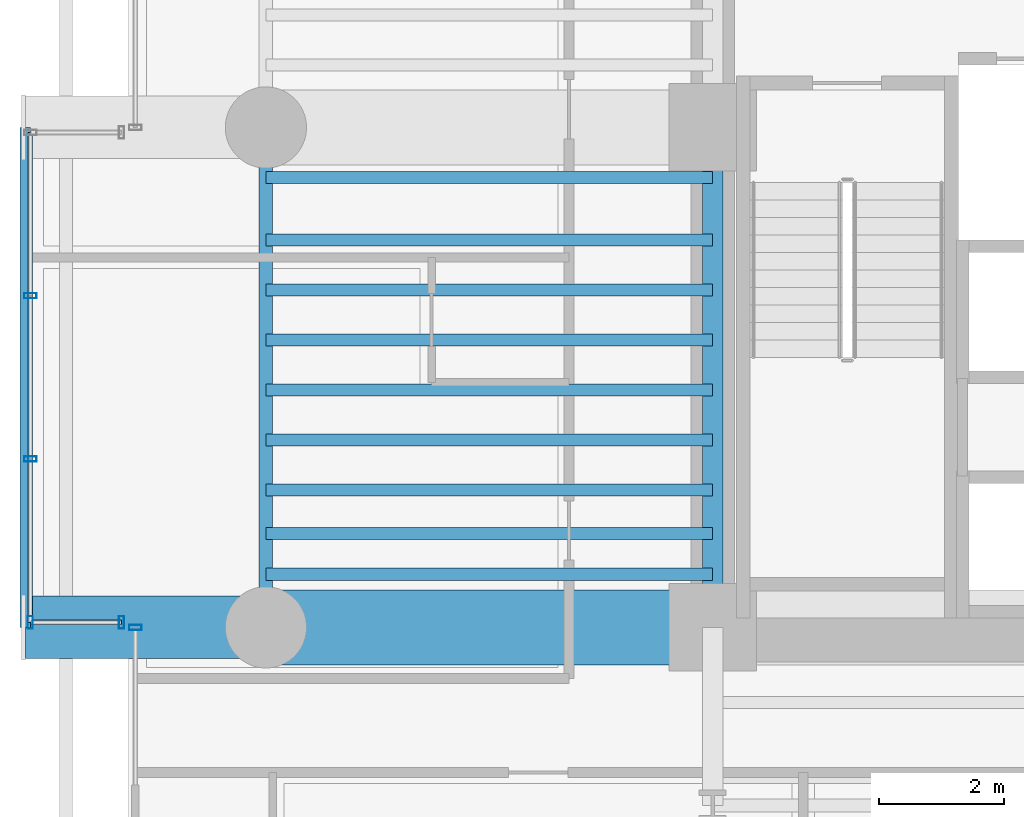
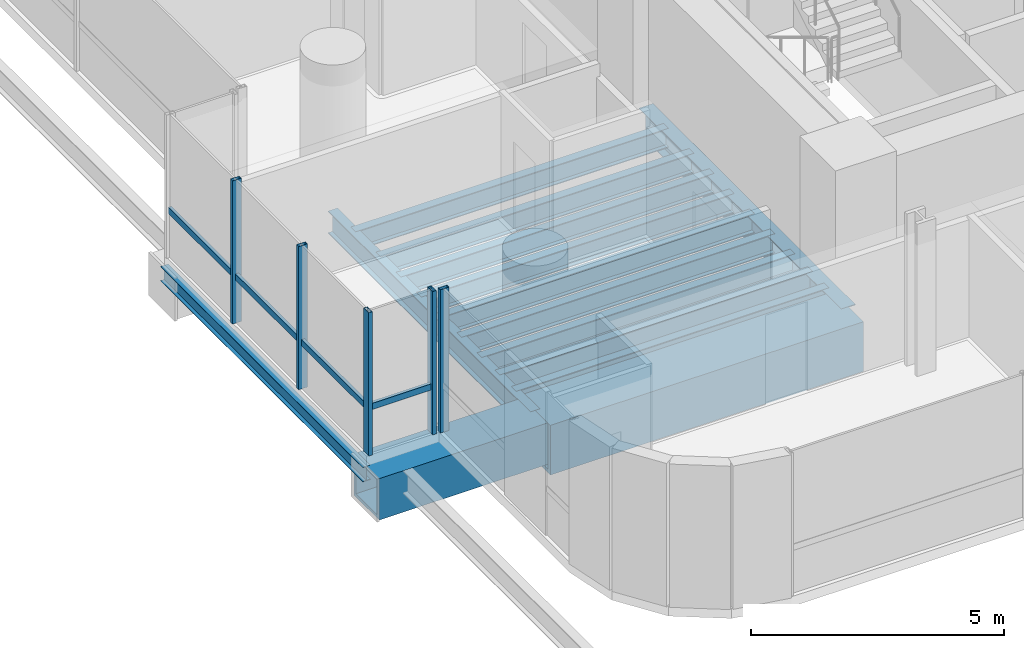
# One storey, part 5 of 50: 14 beams, 7 members, 3 elements without a shape of their own.
"""IFC4 building model written with IfcOpenShell, lengths in metres."""

from ifc_helpers import new_model, si_unit, direction, frame, origin, origin_2d, place, context, subcontext, project, spatial, hollow_rectangle, i_section, extrude, source, transform, mapped, material, material_profile, profile_set, type_object, element, aggregate, save


model = new_model("IFC4")

# Units and contexts
model_context = context("Model", 3, precision=1e-05, world=origin(), true_north=direction((0.0, 1.0)))
body_context = subcontext(model_context, "Body", "Model", "MODEL_VIEW")
ifc_project = project(units=[si_unit("LENGTHUNIT", "METRE"), si_unit("AREAUNIT", "SQUARE_METRE"), si_unit("VOLUMEUNIT", "CUBIC_METRE"), si_unit("PLANEANGLEUNIT", "RADIAN"), si_unit("MASSUNIT", "GRAM", prefix="KILO")], contexts=[model_context])

# Site, building, storey
site_placement = place(None, origin())
site = spatial("IfcSite", under=ifc_project, at=site_placement, CompositionType="ELEMENT")
building_placement = place(site_placement, origin())
building = spatial("IfcBuilding", under=site, at=building_placement, Name="Valdorenza Pilgrim Sanctuary Tower", CompositionType="ELEMENT")
storey_placement = place(building_placement, frame((0.0, 0.0, 26.0)))
storey = spatial("IfcBuildingStorey", under=building, at=storey_placement, Name="L05", CompositionType="ELEMENT", Elevation=26.0)

# Beams
ifc_material_1 = material(Name="Steel ASTM A992 Grade 50", Category="steel")
ifc_material_profile_1 = material_profile(ifc_material_1, i_section(OverallWidth=0.214111328125, OverallDepth=0.549072265625, WebThickness=0.0146484375, FlangeThickness=0.023681640625, at=origin_2d()), Name="W21X93")
ifc_profile_set_1 = profile_set([ifc_material_profile_1], Name="Steel ASTM A992 Grade 50")
beam_type_1 = type_object("IfcBeamType", Name="STR-BM-SPN-W21A", PredefinedType="SPANDREL", material=ifc_profile_set_1)
shared_shape_1 = source(origin(), body_context, "Body", "SweptSolid", [
    extrude(i_section(OverallWidth=0.214111328125, OverallDepth=0.549072265625, WebThickness=0.0146484375, FlangeThickness=0.023681640625, at=origin_2d()), origin(), (0.0, 0.0, 1.0), 8.0),
])
beam_1_placement = place(storey_placement, frame((-29.800048828125, -10.60009765625, -0.514404296875), z_axis=(0.0, 1.0, 0.0), x_axis=(-1.0, 0.0, 0.0)))
element("IfcBeam", 1, at=beam_1_placement, inside=storey, type_object=beam_type_1, Name="L05 Spandrel Beam WA-W-S1M0", PredefinedType="SPANDREL", context=body_context, shape_type="MappedRepresentation", body=[
    mapped(shared_shape_1, transform((0.0, 0.0, 0.0), x_axis=(1.0, 0.0, 0.0), y_axis=(0.0, 1.0, 0.0), z_axis=(0.0, 0.0, 1.0), scale=1.0)),
])
ifc_material_profile_2 = material_profile(ifc_material_1, i_section(OverallWidth=0.323974609375, OverallDepth=0.611083984375, WebThickness=0.0126953125, FlangeThickness=0.01904296875, at=origin_2d()), Name="W24X104")
ifc_profile_set_2 = profile_set([ifc_material_profile_2], Name="Steel ASTM A992 Grade 50")
beam_type_2 = type_object("IfcBeamType", Name="STR-BM-GRD-W24B", PredefinedType="BEAM", material=ifc_profile_set_2)
shared_shape_2 = source(origin(), body_context, "Body", "SweptSolid", [
    extrude(i_section(OverallWidth=0.323974609375, OverallDepth=0.611083984375, WebThickness=0.0126953125, FlangeThickness=0.01904296875, at=origin_2d()), origin(), (0.0, 0.0, 1.0), 8.0),
])
beam_2_placement = place(storey_placement, frame((-22.64990234375, -10.60009765625, -0.54541015625), z_axis=(0.0, 1.0, 0.0), x_axis=(-1.0, 0.0, 0.0)))
element("IfcBeam", 2, at=beam_2_placement, inside=storey, type_object=beam_type_2, Name="L05 Core Tie Girder CA-W-S1M0", PredefinedType="BEAM", context=body_context, shape_type="MappedRepresentation", body=[
    mapped(shared_shape_2, transform((0.0, 0.0, 0.0), x_axis=(1.0, 0.0, 0.0), y_axis=(0.0, 1.0, 0.0), z_axis=(0.0, 0.0, 1.0), scale=1.0)),
])
ifc_material_profile_3 = material_profile(ifc_material_1, i_section(OverallWidth=0.193115234375, OverallDepth=0.466064453125, WebThickness=0.011474609375, FlangeThickness=0.01904296875, at=origin_2d()), Name="W18X65")
ifc_profile_set_3 = profile_set([ifc_material_profile_3], Name="Steel ASTM A992 Grade 50")
beam_type_3 = type_object("IfcBeamType", Name="STR-BM-JST-W18A", PredefinedType="JOIST", material=ifc_profile_set_3)
shared_shape_3 = source(origin(), body_context, "Body", "SweptSolid", [
    extrude(i_section(OverallWidth=0.193115234375, OverallDepth=0.466064453125, WebThickness=0.011474609375, FlangeThickness=0.01904296875, at=origin_2d()), origin(), (0.0, 0.0, 1.0), 7.150146484375),
])
for number, where, z_axis, x_axis, name in (
    (3, (-29.800048828125, -9.75, -0.472900390625), (1.0, 0.0, 0.0), (0.0, 1.0, 0.0), "L05 Composite Floor Joist JST-WA-1"),
    (4, (-29.800048828125, -9.10009765625, -0.472900390625), (1.0, 0.0, 0.0), (0.0, 1.0, 0.0), "L05 Composite Floor Joist JST-WA-2"),
    (5, (-29.800048828125, -8.39990234375, -0.472900390625), (1.0, 0.0, 0.0), (0.0, 1.0, 0.0), "L05 Composite Floor Joist JST-WA-3"),
    (6, (-29.800048828125, -7.60009765625, -0.472900390625), (1.0, 0.0, 0.0), (0.0, 1.0, 0.0), "L05 Composite Floor Joist JST-WA-4"),
    (7, (-29.800048828125, -6.800048828125, -0.472900390625), (1.0, 0.0, 0.0), (0.0, 1.0, 0.0), "L05 Composite Floor Joist JST-WA-5"),
    (8, (-29.800048828125, -6.0, -0.472900390625), (1.0, 0.0, 0.0), (0.0, 1.0, 0.0), "L05 Composite Floor Joist JST-WA-6"),
    (9, (-29.800048828125, -5.199951171875, -0.472900390625), (1.0, 0.0, 0.0), (0.0, 1.0, 0.0), "L05 Composite Floor Joist JST-WA-7"),
    (10, (-29.800048828125, -4.39990234375, -0.472900390625), (1.0, 0.0, 0.0), (0.0, 1.0, 0.0), "L05 Composite Floor Joist JST-WA-8"),
    (11, (-29.800048828125, -3.39990234375, -0.472900390625), (1.0, 0.0, 0.0), (0.0, 1.0, 0.0), "L05 Composite Floor Joist JST-WA-9"),
):
    element("IfcBeam", number, at=place(storey_placement, frame(where, z_axis=z_axis, x_axis=x_axis)), inside=storey, type_object=beam_type_3, Name=name, PredefinedType="JOIST", context=body_context, shape_type="MappedRepresentation", body=[
        mapped(shared_shape_3, transform((0.0, 0.0, 0.0), x_axis=(1.0, 0.0, 0.0), y_axis=(0.0, 1.0, 0.0), z_axis=(0.0, 0.0, 1.0), scale=1.0)),
    ])
ifc_material_2 = material(Name="Steel ASTM A572 Grade 42", Category="steel")
ifc_material_profile_4 = material_profile(ifc_material_2, hollow_rectangle(XDim=1.199951171875, YDim=1.199951171875, WallThickness=0.090087890625, at=origin_2d()), Name="BOX 1200x1200x90")
ifc_profile_set_4 = profile_set([ifc_material_profile_4], Name="Steel ASTM A572 Grade 42")
beam_type_4 = type_object("IfcBeamType", Name="STR-BM-TRF-1200", PredefinedType="BEAM", material=ifc_profile_set_4)
shared_shape_4 = source(origin(), body_context, "Body", "SweptSolid", [
    extrude(hollow_rectangle(XDim=1.199951171875, YDim=1.199951171875, WallThickness=0.090087890625, at=origin_2d()), origin(), (0.0, 0.0, 1.0), 7.150146484375),
])
beam_3_placement = place(storey_placement, frame((-29.800048828125, -10.60009765625, -0.840087890625), z_axis=(1.0, 0.0, 0.0), x_axis=(0.0, 1.0, 0.0)))
element("IfcBeam", 12, at=beam_3_placement, inside=storey, type_object=beam_type_4, Name="L05 Transfer Girder WA-XW-S1", PredefinedType="BEAM", context=body_context, shape_type="MappedRepresentation", body=[
    mapped(shared_shape_4, transform((0.0, 0.0, 0.0), x_axis=(1.0, 0.0, 0.0), y_axis=(0.0, 1.0, 0.0), z_axis=(0.0, 0.0, 1.0), scale=1.0)),
])
ifc_material_profile_5 = material_profile(ifc_material_2, hollow_rectangle(XDim=1.0, YDim=1.0, WallThickness=0.080078125, at=origin_2d()), Name="BOX 1000x1000x80")
ifc_profile_set_5 = profile_set([ifc_material_profile_5], Name="Steel ASTM A572 Grade 42")
beam_type_5 = type_object("IfcBeamType", Name="STR-BM-PROW-CANT", PredefinedType="BEAM", material=ifc_profile_set_5)
shared_shape_5 = source(origin(), body_context, "Body", "SweptSolid", [
    extrude(hollow_rectangle(XDim=1.0, YDim=1.0, WallThickness=0.080078125, at=origin_2d()), origin(), (0.0, 0.0, 1.0), 3.849853515625),
])
beam_4_placement = place(storey_placement, frame((-29.800048828125, -10.60009765625, -0.739990234375), z_axis=(-1.0, 0.0, 0.0), x_axis=(0.0, -1.0, 0.0)))
element("IfcBeam", 13, at=beam_4_placement, inside=storey, type_object=beam_type_5, Name="L05 Glass Box Cantilever Beam BOX-WA-L05-CT-S", PredefinedType="BEAM", context=body_context, shape_type="MappedRepresentation", body=[
    mapped(shared_shape_5, transform((0.0, 0.0, 0.0), x_axis=(1.0, 0.0, 0.0), y_axis=(0.0, 1.0, 0.0), z_axis=(0.0, 0.0, 1.0), scale=1.0)),
])
ifc_material_profile_6 = material_profile(ifc_material_1, i_section(OverallWidth=0.1708984375, OverallDepth=0.35107421875, WebThickness=0.0068359375, FlangeThickness=0.009765625, at=origin_2d()), Name="W14X30")
ifc_profile_set_6 = profile_set([ifc_material_profile_6], Name="Steel ASTM A992 Grade 50")
beam_type_6 = type_object("IfcBeamType", Name="STR-BM-BOX-W14", PredefinedType="BEAM", material=ifc_profile_set_6)
shared_shape_6 = source(origin(), body_context, "Body", "SweptSolid", [
    extrude(i_section(OverallWidth=0.1708984375, OverallDepth=0.35107421875, WebThickness=0.0068359375, FlangeThickness=0.009765625, at=origin_2d()), origin(), (0.0, 0.0, 1.0), 8.0),
])
beam_5_placement = place(storey_placement, frame((-33.64990234375, -10.60009765625, -0.41552734375), z_axis=(0.0, 1.0, 0.0), x_axis=(-1.0, 0.0, 0.0)))
element("IfcBeam", 14, at=beam_5_placement, inside=storey, type_object=beam_type_6, Name="L05 Glass Box Edge Beam BOX-WA-L05-F", PredefinedType="BEAM", context=body_context, shape_type="MappedRepresentation", body=[
    mapped(shared_shape_6, transform((0.0, 0.0, 0.0), x_axis=(1.0, 0.0, 0.0), y_axis=(0.0, 1.0, 0.0), z_axis=(0.0, 0.0, 1.0), scale=1.0)),
])

# Curtain wall, member
ifc_material_3 = material(Name="Curtain-wall IGU glazing", Category="glass")
curtain_wall_type = type_object("IfcCurtainWallType", Name="CW-SYS-02", PredefinedType="NOTDEFINED", material=ifc_material_3)
curtain_wall_1_placement = place(storey_placement, origin())
curtain_wall_1 = element("IfcCurtainWall", 15, at=curtain_wall_1_placement, inside=storey, type_object=curtain_wall_type, Name="L05 Curtain Wall CW-L05-1-1S1", PredefinedType="NOTDEFINED")
ifc_material_4 = material(Name="Anodised aluminium AW-6060", Category="aluminium")
ifc_material_profile_7 = material_profile(ifc_material_4, hollow_rectangle(XDim=0.0849609375, YDim=0.199951171875, WallThickness=0.0048828125, at=origin_2d()), Name="ALU-M 200x85x5")
ifc_profile_set_7 = profile_set([ifc_material_profile_7], Name="Anodised aluminium AW-6060")
member_type_1 = type_object("IfcMemberType", Name="CW-MUL-02", PredefinedType="MULLION", material=ifc_profile_set_7)
shared_shape_7 = source(origin(), body_context, "Body", "SweptSolid", [
    extrude(hollow_rectangle(XDim=0.0849609375, YDim=0.199951171875, WallThickness=0.0048828125, at=origin_2d()), origin(), (0.0, 0.0, 1.0), 3.4599609375),
])
member_1_placement = place(storey_placement, frame((-31.889892578125, -10.60009765625, 0.0), z_axis=(0.0, 0.0, 1.0), x_axis=(0.0, 1.0, 0.0)))
member_1 = element("IfcMember", 16, at=member_1_placement, type_object=member_type_1, Name="CW-L05-1-1S1 Mullion 2", PredefinedType="MULLION", context=body_context, shape_type="MappedRepresentation", body=[
    mapped(shared_shape_7, transform((0.0, 0.0, 0.0), x_axis=(1.0, 0.0, 0.0), y_axis=(0.0, 1.0, 0.0), z_axis=(0.0, 0.0, 1.0), scale=1.0)),
])
aggregate(curtain_wall_1, [member_1])

# Curtain wall, members
curtain_wall_2_placement = place(storey_placement, origin())
curtain_wall_2 = element("IfcCurtainWall", 17, at=curtain_wall_2_placement, inside=storey, type_object=curtain_wall_type, Name="L05 Curtain Wall CW-L05-BOX-WA-L05-S", PredefinedType="NOTDEFINED")
member_2_placement = place(storey_placement, frame((-32.110107421875, -10.52001953125, 0.0), z_axis=(0.0, 0.0, 1.0), x_axis=(-1.0, 0.0, 0.0)))
member_2 = element("IfcMember", 18, at=member_2_placement, type_object=member_type_1, Name="CW-L05-BOX-WA-L05-S Mullion 1", PredefinedType="MULLION", context=body_context, shape_type="MappedRepresentation", body=[
    mapped(shared_shape_7, transform((0.0, 0.0, 0.0), x_axis=(1.0, 0.0, 0.0), y_axis=(0.0, 1.0, 0.0), z_axis=(0.0, 0.0, 1.0), scale=1.0)),
])
member_3_placement = place(storey_placement, frame((-33.570068359375, -10.52001953125, 0.0), z_axis=(0.0, 0.0, 1.0), x_axis=(-1.0, 0.0, 0.0)))
member_3 = element("IfcMember", 19, at=member_3_placement, type_object=member_type_1, Name="CW-L05-BOX-WA-L05-S Mullion 2", PredefinedType="MULLION", context=body_context, shape_type="MappedRepresentation", body=[
    mapped(shared_shape_7, transform((0.0, 0.0, 0.0), x_axis=(1.0, 0.0, 0.0), y_axis=(0.0, 1.0, 0.0), z_axis=(0.0, 0.0, 1.0), scale=1.0)),
])

curtain_wall_3_placement = place(storey_placement, origin())
curtain_wall_3 = element("IfcCurtainWall", 20, at=curtain_wall_3_placement, inside=storey, type_object=curtain_wall_type, Name="L05 Curtain Wall CW-L05-BOX-WA-L05-F", PredefinedType="NOTDEFINED")
member_4_placement = place(storey_placement, frame((-33.570068359375, -7.90673828125, 0.0), z_axis=(0.0, 0.0, 1.0), x_axis=(0.0, 1.0, 0.0)))
member_4 = element("IfcMember", 21, at=member_4_placement, type_object=member_type_1, Name="CW-L05-BOX-WA-L05-F Mullion 2", PredefinedType="MULLION", context=body_context, shape_type="MappedRepresentation", body=[
    mapped(shared_shape_7, transform((0.0, 0.0, 0.0), x_axis=(1.0, 0.0, 0.0), y_axis=(0.0, 1.0, 0.0), z_axis=(0.0, 0.0, 1.0), scale=1.0)),
])
member_5_placement = place(storey_placement, frame((-33.570068359375, -5.293212890625, 0.0), z_axis=(0.0, 0.0, 1.0), x_axis=(0.0, 1.0, 0.0)))
member_5 = element("IfcMember", 22, at=member_5_placement, type_object=member_type_1, Name="CW-L05-BOX-WA-L05-F Mullion 3", PredefinedType="MULLION", context=body_context, shape_type="MappedRepresentation", body=[
    mapped(shared_shape_7, transform((0.0, 0.0, 0.0), x_axis=(1.0, 0.0, 0.0), y_axis=(0.0, 1.0, 0.0), z_axis=(0.0, 0.0, 1.0), scale=1.0)),
])

# Member
ifc_material_profile_8 = material_profile(ifc_material_4, hollow_rectangle(XDim=0.074951171875, YDim=0.14990234375, WallThickness=0.00390625, at=origin_2d()), Name="ALU-T 150x75x4")
ifc_profile_set_8 = profile_set([ifc_material_profile_8], Name="Anodised aluminium AW-6060")
member_type_2 = type_object("IfcMemberType", Name="CW-TRN-02", PredefinedType="USERDEFINED", material=ifc_profile_set_8)
shared_shape_8 = source(origin(), body_context, "Body", "SweptSolid", [
    extrude(hollow_rectangle(XDim=0.074951171875, YDim=0.14990234375, WallThickness=0.00390625, at=origin_2d()), origin(), (0.0, 0.0, 1.0), 1.4599609375),
])
member_6_placement = place(storey_placement, frame((-32.110107421875, -10.52001953125, 1.1201171875), z_axis=(-1.0, 0.0, 0.0), x_axis=(0.0, -1.0, 0.0)))
member_6 = element("IfcMember", 23, at=member_6_placement, type_object=member_type_2, Name="CW-L05-BOX-WA-L05-S Transom 1", ObjectType="TRANSOM", PredefinedType="USERDEFINED", context=body_context, shape_type="MappedRepresentation", body=[
    mapped(shared_shape_8, transform((0.0, 0.0, 0.0), x_axis=(1.0, 0.0, 0.0), y_axis=(0.0, 1.0, 0.0), z_axis=(0.0, 0.0, 1.0), scale=1.0)),
])

aggregate(curtain_wall_2, [member_2, member_3, member_6])

shared_shape_9 = source(origin(), body_context, "Body", "SweptSolid", [
    extrude(hollow_rectangle(XDim=0.074951171875, YDim=0.14990234375, WallThickness=0.00390625, at=origin_2d()), origin(), (0.0, 0.0, 1.0), 7.840087890625),
])
member_7_placement = place(storey_placement, frame((-33.570068359375, -10.52001953125, 1.1201171875), z_axis=(0.0, 1.0, 0.0), x_axis=(-1.0, 0.0, 0.0)))
member_7 = element("IfcMember", 24, at=member_7_placement, type_object=member_type_2, Name="CW-L05-BOX-WA-L05-F Transom 1", ObjectType="TRANSOM", PredefinedType="USERDEFINED", context=body_context, shape_type="MappedRepresentation", body=[
    mapped(shared_shape_9, transform((0.0, 0.0, 0.0), x_axis=(1.0, 0.0, 0.0), y_axis=(0.0, 1.0, 0.0), z_axis=(0.0, 0.0, 1.0), scale=1.0)),
])

aggregate(curtain_wall_3, [member_4, member_5, member_7])

save(model, "model.ifc")
